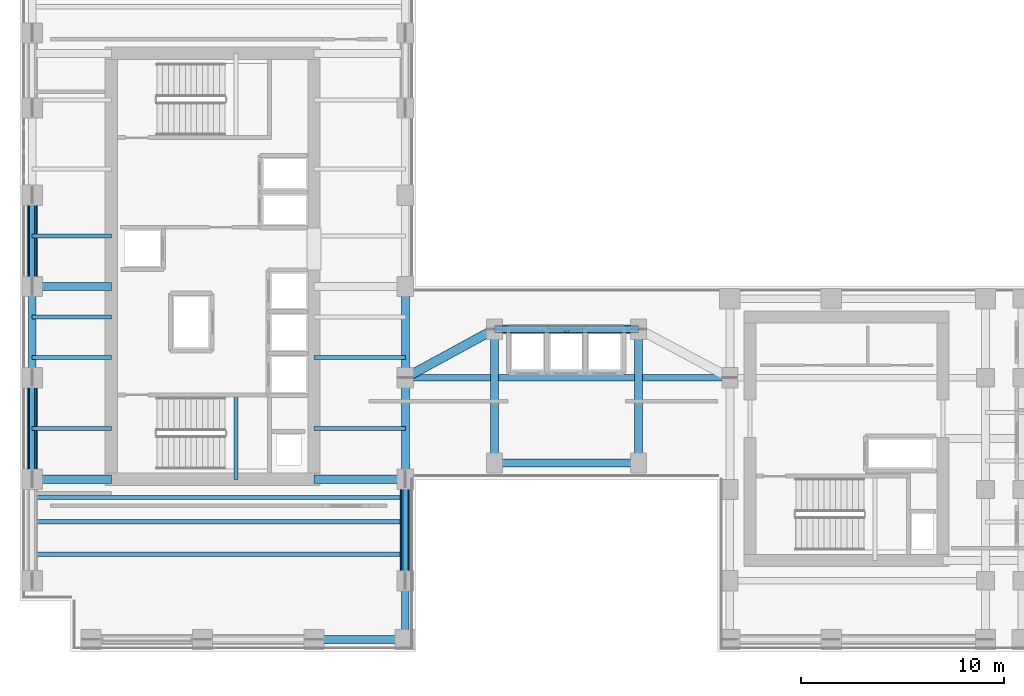
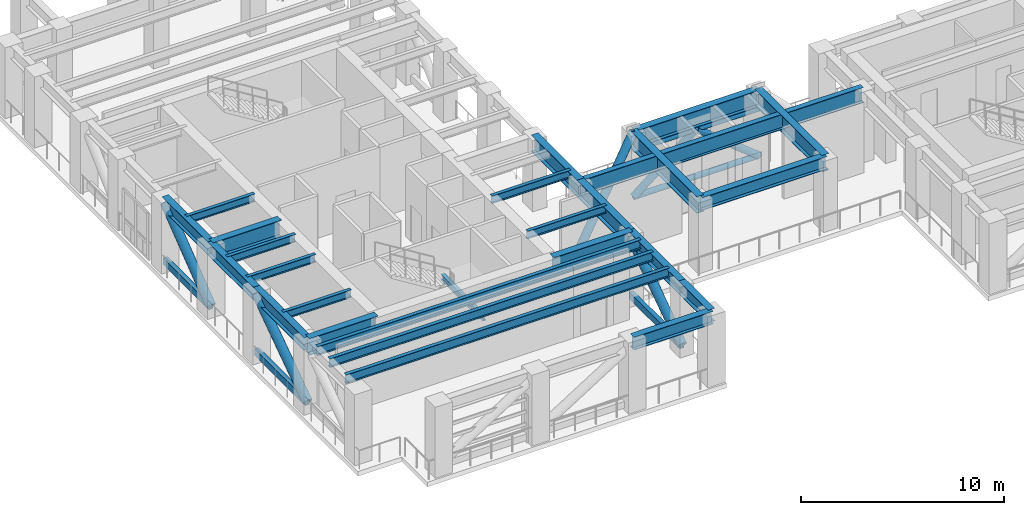
# One storey, part 3 of 14: 26 beams, 11 members.
"""IFC4 building model written with IfcOpenShell, lengths in metres."""

from ifc_helpers import new_model, si_unit, direction, frame, origin, origin_2d, place, context, subcontext, project, spatial, hollow_rectangle, hollow_circle, i_section, extrude, source, transform, mapped, material, material_profile, profile_set, type_object, element, save


model = new_model("IFC4")

# Units and contexts
model_context = context("Model", 3, precision=1e-05, world=origin(), true_north=direction((0.0, 1.0)))
body_context = subcontext(model_context, "Body", "Model", "MODEL_VIEW")
ifc_project = project(units=[si_unit("LENGTHUNIT", "METRE"), si_unit("AREAUNIT", "SQUARE_METRE"), si_unit("VOLUMEUNIT", "CUBIC_METRE"), si_unit("PLANEANGLEUNIT", "RADIAN"), si_unit("MASSUNIT", "GRAM", prefix="KILO")], contexts=[model_context])

# Site, building, storey
site_placement = place(None, origin())
site = spatial("IfcSite", under=ifc_project, at=site_placement, CompositionType="ELEMENT")
building_placement = place(site_placement, origin())
building = spatial("IfcBuilding", under=site, at=building_placement, Name="Kharzan Plaza Tower", CompositionType="ELEMENT")
storey_placement = place(building_placement, frame((0.0, 0.0, 207.89990234375)))
storey = spatial("IfcBuildingStorey", under=building, at=storey_placement, Name="L56", CompositionType="ELEMENT", Elevation=207.89990234375)

# Beams
ifc_material = material(Name="Steel S355", Category="steel")
ifc_material_profile_1 = material_profile(ifc_material, i_section(OverallWidth=0.205078125, OverallDepth=0.35400390625, WebThickness=0.009521484375, FlangeThickness=0.016845703125, at=origin_2d()), Name="W360x79")
ifc_profile_set_1 = profile_set([ifc_material_profile_1], Name="Steel S355")
beam_type_1 = type_object("IfcBeamType", Name="BM-LNT360", PredefinedType="LINTEL", material=ifc_profile_set_1)
shared_shape_1 = source(origin(), body_context, "Body", "SweptSolid", [
    extrude(i_section(OverallWidth=0.205078125, OverallDepth=0.35400390625, WebThickness=0.009521484375, FlangeThickness=0.016845703125, at=origin_2d()), origin(), (0.0, 0.0, 1.0), 4.155029296875),
])
beam_1_placement = place(storey_placement, frame((10.64990234375, 8.5, 1.873046875), z_axis=(0.0, 1.0, 0.0), x_axis=(-1.0, 0.0, 0.0)))
element("IfcBeam", 1, at=beam_1_placement, inside=storey, type_object=beam_type_1, Name="L56 Stair ST-1 Half-Landing Beam", PredefinedType="LINTEL", context=body_context, shape_type="MappedRepresentation", body=[
    mapped(shared_shape_1, transform((0.0, 0.0, 0.0), x_axis=(1.0, 0.0, 0.0), y_axis=(0.0, 1.0, 0.0), z_axis=(0.0, 0.0, 1.0))),
])
ifc_material_profile_2 = material_profile(ifc_material, i_section(OverallWidth=0.304931640625, OverallDepth=0.9189453125, WebThickness=0.017333984375, FlangeThickness=0.02783203125, at=origin_2d()), Name="W920x253")
ifc_profile_set_2 = profile_set([ifc_material_profile_2], Name="Steel S355")
beam_type_2 = type_object("IfcBeamType", Name="BM-FG920B", PredefinedType="BEAM", material=ifc_profile_set_2)
shared_shape_2 = source(origin(), body_context, "Body", "SweptSolid", [
    extrude(i_section(OverallWidth=0.304931640625, OverallDepth=0.9189453125, WebThickness=0.017333984375, FlangeThickness=0.02783203125, at=origin_2d()), origin(), (0.0, 0.0, 1.0), 16.0),
])
beam_2_placement = place(storey_placement, frame((19.0, 13.5, 3.800537109375), z_axis=(1.0, 0.0, 0.0), x_axis=(0.0, 1.0, 0.0)))
element("IfcBeam", 2, at=beam_2_placement, inside=storey, type_object=beam_type_2, Name="L56 Primary Floor Girder", PredefinedType="BEAM", context=body_context, shape_type="MappedRepresentation", body=[
    mapped(shared_shape_2, transform((0.0, 0.0, 0.0), x_axis=(1.0, 0.0, 0.0), y_axis=(0.0, 1.0, 0.0), z_axis=(0.0, 0.0, 1.0))),
])
ifc_material_profile_3 = material_profile(ifc_material, i_section(OverallWidth=0.2099609375, OverallDepth=0.537109375, WebThickness=0.010986328125, FlangeThickness=0.017333984375, at=origin_2d()), Name="W530x101")
ifc_profile_set_3 = profile_set([ifc_material_profile_3], Name="Steel S355")
beam_type_3 = type_object("IfcBeamType", Name="BM-JST530B", PredefinedType="JOIST", material=ifc_profile_set_3)
shared_shape_3 = source(origin(), body_context, "Body", "SweptSolid", [
    extrude(i_section(OverallWidth=0.2099609375, OverallDepth=0.537109375, WebThickness=0.010986328125, FlangeThickness=0.017333984375, at=origin_2d()), origin(), (0.0, 0.0, 1.0), 18.39990234375),
])
for number, where, z_axis, x_axis, name in (
    (3, (0.60009765625, 4.800048828125, 3.99169921875), (1.0, 0.0, 0.0), (0.0, 1.0, 0.0), "L56 Wing A Composite Joist 01"),
    (4, (0.60009765625, 6.39990234375, 3.99169921875), (1.0, 0.0, 0.0), (0.0, 1.0, 0.0), "L56 Wing A Composite Joist 02"),
    (5, (0.60009765625, 7.60009765625, 3.99169921875), (1.0, 0.0, 0.0), (0.0, 1.0, 0.0), "L56 Wing A Composite Joist 03"),
):
    element("IfcBeam", number, at=place(storey_placement, frame(where, z_axis=z_axis, x_axis=x_axis)), inside=storey, type_object=beam_type_3, Name=name, PredefinedType="JOIST", context=body_context, shape_type="MappedRepresentation", body=[
        mapped(shared_shape_3, transform((0.0, 0.0, 0.0), x_axis=(1.0, 0.0, 0.0), y_axis=(0.0, 1.0, 0.0), z_axis=(0.0, 0.0, 1.0))),
    ])
ifc_material_profile_4 = material_profile(ifc_material, i_section(OverallWidth=0.194091796875, OverallDepth=0.468994140625, WebThickness=0.011474609375, FlangeThickness=0.0205078125, at=origin_2d()), Name="W460x106")
ifc_profile_set_4 = profile_set([ifc_material_profile_4], Name="Steel S355")
beam_type_4 = type_object("IfcBeamType", Name="BM-JST460", PredefinedType="JOIST", material=ifc_profile_set_4)
shared_shape_4 = source(origin(), body_context, "Body", "SweptSolid", [
    extrude(i_section(OverallWidth=0.194091796875, OverallDepth=0.468994140625, WebThickness=0.011474609375, FlangeThickness=0.0205078125, at=origin_2d()), origin(), (0.0, 0.0, 1.0), 4.5),
])
for number, where, z_axis, x_axis, name in (
    (6, (14.5, 11.0, 4.025634765625), (1.0, 0.0, 0.0), (0.0, 1.0, 0.0), "L56 Wing A East Infill Joist 1"),
    (7, (14.5, 14.5, 4.025634765625), (1.0, 0.0, 0.0), (0.0, 1.0, 0.0), "L56 Wing A East Infill Joist 2"),
):
    element("IfcBeam", number, at=place(storey_placement, frame(where, z_axis=z_axis, x_axis=x_axis)), inside=storey, type_object=beam_type_4, Name=name, PredefinedType="JOIST", context=body_context, shape_type="MappedRepresentation", body=[
        mapped(shared_shape_4, transform((0.0, 0.0, 0.0), x_axis=(1.0, 0.0, 0.0), y_axis=(0.0, 1.0, 0.0), z_axis=(0.0, 0.0, 1.0))),
    ])
shared_shape_5 = source(origin(), body_context, "Body", "SweptSolid", [
    extrude(i_section(OverallWidth=0.194091796875, OverallDepth=0.468994140625, WebThickness=0.011474609375, FlangeThickness=0.0205078125, at=origin_2d()), origin(), (0.0, 0.0, 1.0), 3.89990234375),
])
for number, where, z_axis, x_axis, name in (
    (8, (0.60009765625, 11.0, 4.025634765625), (1.0, 0.0, 0.0), (0.0, 1.0, 0.0), "L56 Wing A West Infill Joist 1"),
    (9, (0.60009765625, 14.5, 4.025634765625), (1.0, 0.0, 0.0), (0.0, 1.0, 0.0), "L56 Wing A West Infill Joist 2"),
    (10, (0.60009765625, 16.5, 4.025634765625), (1.0, 0.0, 0.0), (0.0, 1.0, 0.0), "L56 Wing A West Infill Joist 3"),
    (11, (0.60009765625, 20.5, 4.025634765625), (1.0, 0.0, 0.0), (0.0, 1.0, 0.0), "L56 Wing A West Infill Joist 4"),
):
    element("IfcBeam", number, at=place(storey_placement, frame(where, z_axis=z_axis, x_axis=x_axis)), inside=storey, type_object=beam_type_4, Name=name, PredefinedType="JOIST", context=body_context, shape_type="MappedRepresentation", body=[
        mapped(shared_shape_5, transform((0.0, 0.0, 0.0), x_axis=(1.0, 0.0, 0.0), y_axis=(0.0, 1.0, 0.0), z_axis=(0.0, 0.0, 1.0))),
    ])
ifc_material_profile_5 = material_profile(ifc_material, i_section(OverallWidth=0.39794921875, OverallDepth=1.0, WebThickness=0.017578125, FlangeThickness=0.02880859375, at=origin_2d()), Name="W1000x321")
ifc_profile_set_5 = profile_set([ifc_material_profile_5], Name="Steel S355")
beam_type_5 = type_object("IfcBeamType", Name="BM-PG1000B", PredefinedType="BEAM", material=ifc_profile_set_5)
shared_shape_6 = source(origin(), body_context, "Body", "SweptSolid", [
    extrude(i_section(OverallWidth=0.39794921875, OverallDepth=1.0, WebThickness=0.017578125, FlangeThickness=0.02880859375, at=origin_2d()), origin(), (0.0, 0.0, 1.0), 4.5),
])
for number, where, z_axis, x_axis, name in (
    (12, (14.5, 8.5, 3.760009765625), (1.0, 0.0, 0.0), (0.0, 1.0, 0.0), "L56 Core-A East Floor Girder 1"),
    (13, (19.0, 13.5, 3.760009765625), (0.0, 1.0, 0.0), (-1.0, 0.0, 0.0), "L56 Interior Frame Girder"),
):
    element("IfcBeam", number, at=place(storey_placement, frame(where, z_axis=z_axis, x_axis=x_axis)), inside=storey, type_object=beam_type_5, Name=name, PredefinedType="BEAM", context=body_context, shape_type="MappedRepresentation", body=[
        mapped(shared_shape_6, transform((0.0, 0.0, 0.0), x_axis=(1.0, 0.0, 0.0), y_axis=(0.0, 1.0, 0.0), z_axis=(0.0, 0.0, 1.0))),
    ])
shared_shape_7 = source(origin(), body_context, "Body", "SweptSolid", [
    extrude(i_section(OverallWidth=0.39794921875, OverallDepth=1.0, WebThickness=0.017578125, FlangeThickness=0.02880859375, at=origin_2d()), origin(), (0.0, 0.0, 1.0), 3.89990234375),
])
for number, where, z_axis, x_axis, name in (
    (14, (0.60009765625, 8.5, 3.760009765625), (1.0, 0.0, 0.0), (0.0, 1.0, 0.0), "L56 Core-A West Floor Girder 1"),
    (15, (0.60009765625, 18.0, 3.760009765625), (1.0, 0.0, 0.0), (0.0, 1.0, 0.0), "L56 Core-A West Floor Girder 2"),
):
    element("IfcBeam", number, at=place(storey_placement, frame(where, z_axis=z_axis, x_axis=x_axis)), inside=storey, type_object=beam_type_5, Name=name, PredefinedType="BEAM", context=body_context, shape_type="MappedRepresentation", body=[
        mapped(shared_shape_7, transform((0.0, 0.0, 0.0), x_axis=(1.0, 0.0, 0.0), y_axis=(0.0, 1.0, 0.0), z_axis=(0.0, 0.0, 1.0))),
    ])
shared_shape_8 = source(origin(), body_context, "Body", "SweptSolid", [
    extrude(i_section(OverallWidth=0.39794921875, OverallDepth=1.0, WebThickness=0.017578125, FlangeThickness=0.02880859375, at=origin_2d()), origin(), (0.0, 0.0, 1.0), 5.0),
])
beam_3_placement = place(storey_placement, frame((19.0, 8.5, 3.760009765625), z_axis=(0.0, 1.0, 0.0), x_axis=(-1.0, 0.0, 0.0)))
element("IfcBeam", 16, at=beam_3_placement, inside=storey, type_object=beam_type_5, Name="L56 Interior Frame Girder", PredefinedType="BEAM", context=body_context, shape_type="MappedRepresentation", body=[
    mapped(shared_shape_8, transform((0.0, 0.0, 0.0), x_axis=(1.0, 0.0, 0.0), y_axis=(0.0, 1.0, 0.0), z_axis=(0.0, 0.0, 1.0))),
])
shared_shape_9 = source(origin(), body_context, "Body", "SweptSolid", [
    extrude(i_section(OverallWidth=0.39794921875, OverallDepth=1.0, WebThickness=0.017578125, FlangeThickness=0.02880859375, at=origin_2d()), origin(), (0.0, 0.0, 1.0), 6.599853515625),
])
for number, where, z_axis, x_axis, name in (
    (17, (23.39990234375, 9.300048828125, 3.760009765625), (0.0, 1.0, 0.0), (-1.0, 0.0, 0.0), "L56 Interior Frame Girder"),
    (18, (30.5, 9.300048828125, 3.760009765625), (0.0, 1.0, 0.0), (-1.0, 0.0, 0.0), "L56 Interior Frame Girder"),
):
    element("IfcBeam", number, at=place(storey_placement, frame(where, z_axis=z_axis, x_axis=x_axis)), inside=storey, type_object=beam_type_5, Name=name, PredefinedType="BEAM", context=body_context, shape_type="MappedRepresentation", body=[
        mapped(shared_shape_9, transform((0.0, 0.0, 0.0), x_axis=(1.0, 0.0, 0.0), y_axis=(0.0, 1.0, 0.0), z_axis=(0.0, 0.0, 1.0))),
    ])
shared_shape_10 = source(origin(), body_context, "Body", "SweptSolid", [
    extrude(i_section(OverallWidth=0.39794921875, OverallDepth=1.0, WebThickness=0.017578125, FlangeThickness=0.02880859375, at=origin_2d()), origin(), (0.0, 0.0, 1.0), 7.10009765625),
])
beam_4_placement = place(storey_placement, frame((23.39990234375, 15.89990234375, 3.760009765625), z_axis=(1.0, 0.0, 0.0), x_axis=(0.0, 1.0, 0.0)))
element("IfcBeam", 19, at=beam_4_placement, inside=storey, type_object=beam_type_5, Name="L56 Primary Floor Girder", PredefinedType="BEAM", context=body_context, shape_type="MappedRepresentation", body=[
    mapped(shared_shape_10, transform((0.0, 0.0, 0.0), x_axis=(1.0, 0.0, 0.0), y_axis=(0.0, 1.0, 0.0), z_axis=(0.0, 0.0, 1.0))),
])

# Members
ifc_material_profile_6 = material_profile(ifc_material, hollow_rectangle(XDim=0.25, YDim=0.39990234375, WallThickness=0.01611328125, at=origin_2d()), Name="RHS400x250x16")
ifc_profile_set_6 = profile_set([ifc_material_profile_6], Name="Steel S355")
member_type_1 = type_object("IfcMemberType", Name="MEM-BT-CHORD", PredefinedType="CHORD", material=ifc_profile_set_6)
shared_shape_11 = source(origin(), body_context, "Body", "SweptSolid", [
    extrude(hollow_rectangle(XDim=0.25, YDim=0.39990234375, WallThickness=0.01611328125, at=origin_2d()), origin(), (0.0, 0.0, 1.0), 5.0),
])
for number, where, z_axis, x_axis, name in (
    (20, (19.0, 3.5, 0.35009765625), (0.0, 1.0, 0.0), (-1.0, 0.0, 0.0), "L56 Belt Truss Bottom Chord BTA-1"),
    (21, (0.60009765625, 8.5, 0.35009765625), (0.0, 1.0, 0.0), (-1.0, 0.0, 0.0), "L56 Belt Truss Bottom Chord BTW-2"),
):
    element("IfcMember", number, at=place(storey_placement, frame(where, z_axis=z_axis, x_axis=x_axis)), inside=storey, type_object=member_type_1, Name=name, PredefinedType="CHORD", context=body_context, shape_type="MappedRepresentation", body=[
        mapped(shared_shape_11, transform((0.0, 0.0, 0.0), x_axis=(1.0, 0.0, 0.0), y_axis=(0.0, 1.0, 0.0), z_axis=(0.0, 0.0, 1.0))),
    ])
shared_shape_12 = source(origin(), body_context, "Body", "SweptSolid", [
    extrude(hollow_rectangle(XDim=0.25, YDim=0.39990234375, WallThickness=0.01611328125, at=origin_2d()), origin(), (0.0, 0.0, 1.0), 4.5),
])
member_1_placement = place(storey_placement, frame((0.60009765625, 18.0, 0.35009765625), z_axis=(0.0, 1.0, 0.0), x_axis=(-1.0, 0.0, 0.0)))
element("IfcMember", 22, at=member_1_placement, inside=storey, type_object=member_type_1, Name="L56 Belt Truss Bottom Chord BTW-3", PredefinedType="CHORD", context=body_context, shape_type="MappedRepresentation", body=[
    mapped(shared_shape_12, transform((0.0, 0.0, 0.0), x_axis=(1.0, 0.0, 0.0), y_axis=(0.0, 1.0, 0.0), z_axis=(0.0, 0.0, 1.0))),
])
ifc_material_profile_7 = material_profile(ifc_material, hollow_circle(Radius=0.25390625, WallThickness=0.02001953125, at=origin_2d()), Name="CHS508x20")
ifc_profile_set_7 = profile_set([ifc_material_profile_7], Name="Steel S355")
member_type_2 = type_object("IfcMemberType", Name="MEM-BT-DIAG", PredefinedType="BRACE", material=ifc_profile_set_7)
shared_shape_13 = source(origin(), body_context, "Body", "SweptSolid", [
    extrude(hollow_circle(Radius=0.25390625, WallThickness=0.02001953125, at=origin_2d()), origin(), (0.0, 0.0, 1.0), 6.080322265625),
])
for number, where, z_axis, x_axis, name in (
    (23, (19.0, 3.5, 0.35009765625), (0.0, 0.822313592679, 0.569034581809), (-1.0, 0.0, 0.0), "L56 Belt Truss Diagonal BTA-1"),
    (24, (0.60009765625, 8.5, 0.35009765625), (0.0, 0.822313592679, 0.569034581809), (-1.0, 0.0, 0.0), "L56 Belt Truss Diagonal BTW-2"),
):
    element("IfcMember", number, at=place(storey_placement, frame(where, z_axis=z_axis, x_axis=x_axis)), inside=storey, type_object=member_type_2, Name=name, PredefinedType="BRACE", context=body_context, shape_type="MappedRepresentation", body=[
        mapped(shared_shape_13, transform((0.0, 0.0, 0.0), x_axis=(1.0, 0.0, 0.0), y_axis=(0.0, 1.0, 0.0), z_axis=(0.0, 0.0, 1.0))),
    ])
shared_shape_14 = source(origin(), body_context, "Body", "SweptSolid", [
    extrude(hollow_circle(Radius=0.25390625, WallThickness=0.02001953125, at=origin_2d()), origin(), (0.0, 0.0, 1.0), 5.67626953125),
])
member_2_placement = place(storey_placement, frame((0.60009765625, 18.0, 0.35009765625), z_axis=(0.0, 0.792758275848, 0.609536148292), x_axis=(-1.0, 0.0, 0.0)))
element("IfcMember", 25, at=member_2_placement, inside=storey, type_object=member_type_2, Name="L56 Belt Truss Diagonal BTW-3", PredefinedType="BRACE", context=body_context, shape_type="MappedRepresentation", body=[
    mapped(shared_shape_14, transform((0.0, 0.0, 0.0), x_axis=(1.0, 0.0, 0.0), y_axis=(0.0, 1.0, 0.0), z_axis=(0.0, 0.0, 1.0))),
])
ifc_material_profile_8 = material_profile(ifc_material, hollow_circle(Radius=0.228515625, WallThickness=0.01611328125, at=origin_2d()), Name="CHS457x16")
ifc_profile_set_8 = profile_set([ifc_material_profile_8], Name="Steel S355")
member_type_3 = type_object("IfcMemberType", Name="MEM-WP-STRUT", PredefinedType="STRUT", material=ifc_profile_set_8)
shared_shape_15 = source(origin(), body_context, "Body", "SweptSolid", [
    extrude(hollow_circle(Radius=0.228515625, WallThickness=0.01611328125, at=origin_2d()), origin(), (0.0, 0.0, 1.0), 6.375),
])
member_3_placement = place(storey_placement, frame((19.0, 13.5, 0.2001953125), z_axis=(0.690170696355, 0.376449780556, 0.618021013083), x_axis=(-0.47884530469, 0.877899296147, 0.0)))
element("IfcMember", 26, at=member_3_placement, inside=storey, type_object=member_type_3, Name="L56 Wind Portal Frame V-Strut West", PredefinedType="STRUT", context=body_context, shape_type="MappedRepresentation", body=[
    mapped(shared_shape_15, transform((0.0, 0.0, 0.0), x_axis=(1.0, 0.0, 0.0), y_axis=(0.0, 1.0, 0.0), z_axis=(0.0, 0.0, 1.0))),
])
ifc_material_profile_9 = material_profile(ifc_material, hollow_circle(Radius=0.162109375, WallThickness=0.012451171875, at=origin_2d()), Name="CHS324x12.5")
ifc_profile_set_9 = profile_set([ifc_material_profile_9], Name="Steel S355")
member_type_4 = type_object("IfcMemberType", Name="MEM-TS-RING", PredefinedType="BRACE", material=ifc_profile_set_9)
shared_shape_16 = source(origin(), body_context, "Body", "SweptSolid", [
    extrude(hollow_circle(Radius=0.162109375, WallThickness=0.012451171875, at=origin_2d()), origin(), (0.0, 0.0, 1.0), 7.10009765625),
])
for number, where, z_axis, x_axis, name in (
    (27, (23.39990234375, 15.89990234375, 0.2001953125), (1.0, 0.0, 0.0), (0.0, 1.0, 0.0), "L56 Wind Turbine Slot Bottom Chord"),
    (28, (23.39990234375, 15.89990234375, 3.0400390625), (1.0, 0.0, 0.0), (0.0, 1.0, 0.0), "L56 Wind Turbine Slot Top Chord"),
):
    element("IfcMember", number, at=place(storey_placement, frame(where, z_axis=z_axis, x_axis=x_axis)), inside=storey, type_object=member_type_4, Name=name, PredefinedType="BRACE", context=body_context, shape_type="MappedRepresentation", body=[
        mapped(shared_shape_16, transform((0.0, 0.0, 0.0), x_axis=(1.0, 0.0, 0.0), y_axis=(0.0, 1.0, 0.0), z_axis=(0.0, 0.0, 1.0))),
    ])
ifc_material_profile_10 = material_profile(ifc_material, hollow_circle(Radius=0.202880859375, WallThickness=0.01611328125, at=origin_2d()), Name="CHS406x16")
ifc_profile_set_10 = profile_set([ifc_material_profile_10], Name="Steel S355")
member_type_5 = type_object("IfcMemberType", Name="MEM-TS-STRUT", PredefinedType="STRUT", material=ifc_profile_set_10)
shared_shape_17 = source(origin(), body_context, "Body", "SweptSolid", [
    extrude(hollow_circle(Radius=0.202880859375, WallThickness=0.01611328125, at=origin_2d()), origin(), (0.0, 0.0, 1.0), 4.546142578125),
])
for number, where, z_axis, x_axis, name in (
    (29, (23.39990234375, 15.89990234375, 0.2001953125), (0.780889766123, 0.0, 0.624668850804), (0.0, 1.0, 0.0), "L56 Wind Turbine Slot Rotor Strut 1"),
    (30, (30.5, 15.89990234375, 0.2001953125), (-0.780889766123, 0.0, 0.624668850804), (0.0, -1.0, 0.0), "L56 Wind Turbine Slot Rotor Strut 2"),
):
    element("IfcMember", number, at=place(storey_placement, frame(where, z_axis=z_axis, x_axis=x_axis)), inside=storey, type_object=member_type_5, Name=name, PredefinedType="STRUT", context=body_context, shape_type="MappedRepresentation", body=[
        mapped(shared_shape_17, transform((0.0, 0.0, 0.0), x_axis=(1.0, 0.0, 0.0), y_axis=(0.0, 1.0, 0.0), z_axis=(0.0, 0.0, 1.0))),
    ])

# Beams
ifc_material_profile_11 = material_profile(ifc_material, i_section(OverallWidth=0.381103515625, OverallDepth=0.77294921875, WebThickness=0.0166015625, FlangeThickness=0.027587890625, at=origin_2d()), Name="W760x257")
ifc_profile_set_11 = profile_set([ifc_material_profile_11], Name="Steel S355")
beam_type_6 = type_object("IfcBeamType", Name="BM-SP760A", PredefinedType="SPANDREL", material=ifc_profile_set_11)
shared_shape_18 = source(origin(), body_context, "Body", "SweptSolid", [
    extrude(i_section(OverallWidth=0.381103515625, OverallDepth=0.77294921875, WebThickness=0.0166015625, FlangeThickness=0.027587890625, at=origin_2d()), origin(), (0.0, 0.0, 1.0), 5.0),
])
for number, where, z_axis, x_axis, name in (
    (31, (0.60009765625, 8.5, 3.87353515625), (0.0, 1.0, 0.0), (-1.0, 0.0, 0.0), "L56 Perimeter Tube Spandrel"),
    (32, (19.0, 3.5, 3.87353515625), (0.0, 1.0, 0.0), (-1.0, 0.0, 0.0), "L56 Perimeter Tube Spandrel"),
):
    element("IfcBeam", number, at=place(storey_placement, frame(where, z_axis=z_axis, x_axis=x_axis)), inside=storey, type_object=beam_type_6, Name=name, PredefinedType="SPANDREL", context=body_context, shape_type="MappedRepresentation", body=[
        mapped(shared_shape_18, transform((0.0, 0.0, 0.0), x_axis=(1.0, 0.0, 0.0), y_axis=(0.0, 1.0, 0.0), z_axis=(0.0, 0.0, 1.0))),
    ])
shared_shape_19 = source(origin(), body_context, "Body", "SweptSolid", [
    extrude(i_section(OverallWidth=0.381103515625, OverallDepth=0.77294921875, WebThickness=0.0166015625, FlangeThickness=0.027587890625, at=origin_2d()), origin(), (0.0, 0.0, 1.0), 4.5),
])
for number, where, z_axis, x_axis, name in (
    (33, (0.60009765625, 13.5, 3.87353515625), (0.0, 1.0, 0.0), (-1.0, 0.0, 0.0), "L56 Perimeter Tube Spandrel"),
    (34, (0.60009765625, 18.0, 3.87353515625), (0.0, 1.0, 0.0), (-1.0, 0.0, 0.0), "L56 Perimeter Tube Spandrel"),
    (35, (14.5, 0.60009765625, 3.87353515625), (1.0, 0.0, 0.0), (0.0, 1.0, 0.0), "L56 Perimeter Tube Spandrel"),
):
    element("IfcBeam", number, at=place(storey_placement, frame(where, z_axis=z_axis, x_axis=x_axis)), inside=storey, type_object=beam_type_6, Name=name, PredefinedType="SPANDREL", context=body_context, shape_type="MappedRepresentation", body=[
        mapped(shared_shape_19, transform((0.0, 0.0, 0.0), x_axis=(1.0, 0.0, 0.0), y_axis=(0.0, 1.0, 0.0), z_axis=(0.0, 0.0, 1.0))),
    ])
shared_shape_20 = source(origin(), body_context, "Body", "SweptSolid", [
    extrude(i_section(OverallWidth=0.381103515625, OverallDepth=0.77294921875, WebThickness=0.0166015625, FlangeThickness=0.027587890625, at=origin_2d()), origin(), (0.0, 0.0, 1.0), 2.89990234375),
])
beam_5_placement = place(storey_placement, frame((19.0, 0.60009765625, 3.87353515625), z_axis=(0.0, 1.0, 0.0), x_axis=(-1.0, 0.0, 0.0)))
element("IfcBeam", 36, at=beam_5_placement, inside=storey, type_object=beam_type_6, Name="L56 Perimeter Tube Spandrel", PredefinedType="SPANDREL", context=body_context, shape_type="MappedRepresentation", body=[
    mapped(shared_shape_20, transform((0.0, 0.0, 0.0), x_axis=(1.0, 0.0, 0.0), y_axis=(0.0, 1.0, 0.0), z_axis=(0.0, 0.0, 1.0))),
])
shared_shape_21 = source(origin(), body_context, "Body", "SweptSolid", [
    extrude(i_section(OverallWidth=0.381103515625, OverallDepth=0.77294921875, WebThickness=0.0166015625, FlangeThickness=0.027587890625, at=origin_2d()), origin(), (0.0, 0.0, 1.0), 7.10009765625),
])
beam_6_placement = place(storey_placement, frame((23.39990234375, 9.300048828125, 3.87353515625), z_axis=(1.0, 0.0, 0.0), x_axis=(0.0, 1.0, 0.0)))
element("IfcBeam", 37, at=beam_6_placement, inside=storey, type_object=beam_type_6, Name="L56 Perimeter Tube Spandrel", PredefinedType="SPANDREL", context=body_context, shape_type="MappedRepresentation", body=[
    mapped(shared_shape_21, transform((0.0, 0.0, 0.0), x_axis=(1.0, 0.0, 0.0), y_axis=(0.0, 1.0, 0.0), z_axis=(0.0, 0.0, 1.0))),
])

save(model, "model.ifc")
